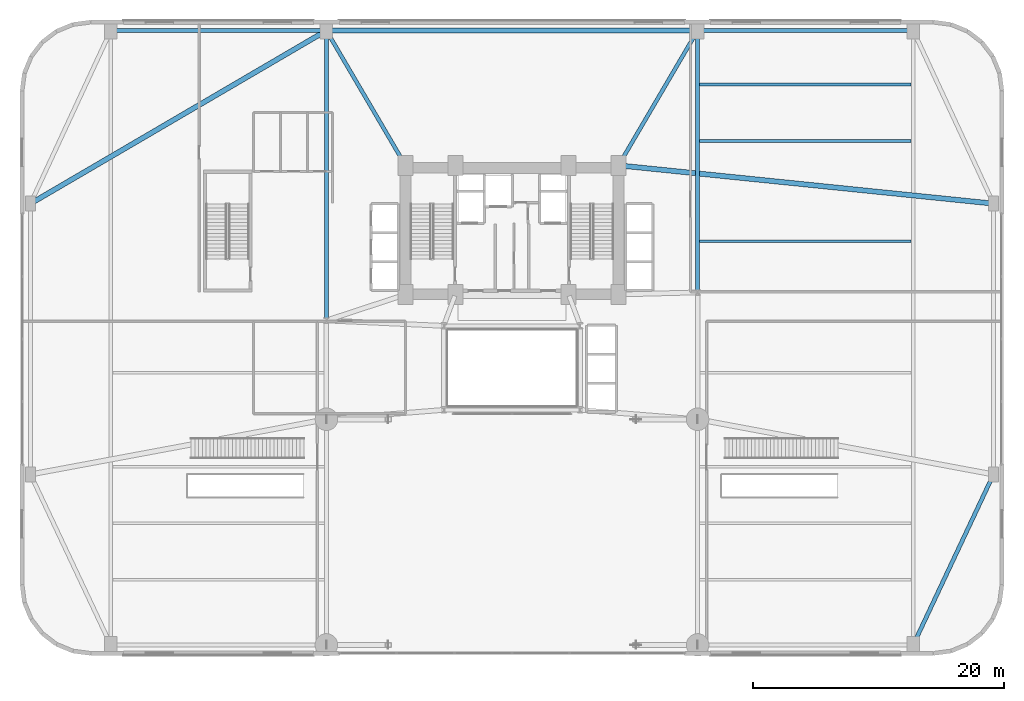
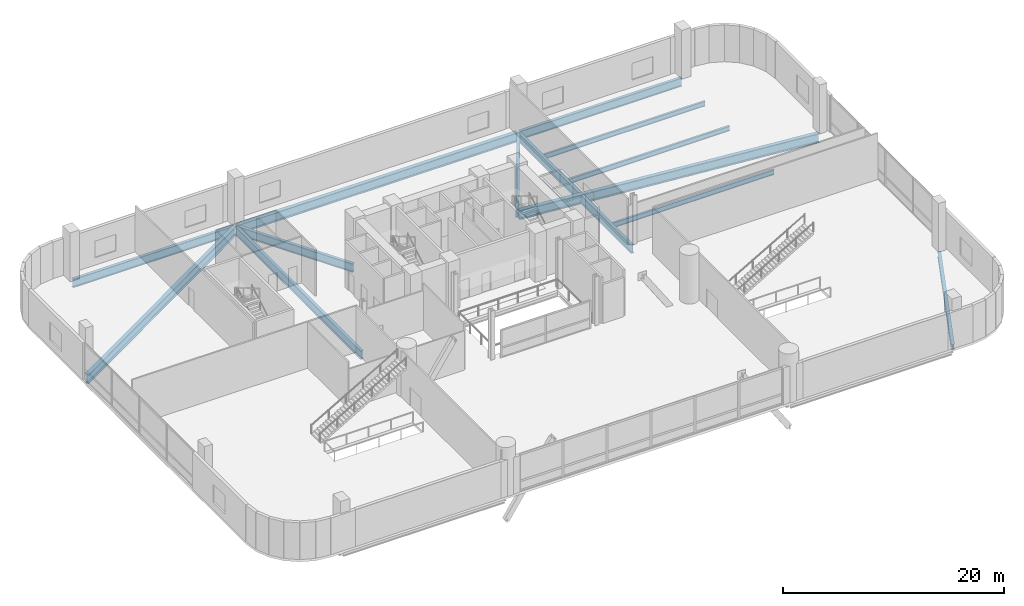
# One storey, part 18 of 40: 13 beams.
"""IFC4 building model written with IfcOpenShell, lengths in metres."""

from ifc_helpers import new_model, si_unit, direction, frame, origin, origin_2d, place, context, subcontext, project, spatial, i_section, extrude, material, material_profile, profile_set, type_object, element, save


model = new_model("IFC4")

# Units and contexts
model_context = context("Model", 3, precision=1e-05, world=origin(), true_north=direction((0.0, 1.0)))
body_context = subcontext(model_context, "Body", "Model", "MODEL_VIEW")
ifc_project = project(units=[si_unit("LENGTHUNIT", "METRE"), si_unit("AREAUNIT", "SQUARE_METRE"), si_unit("VOLUMEUNIT", "CUBIC_METRE"), si_unit("PLANEANGLEUNIT", "RADIAN"), si_unit("MASSUNIT", "GRAM", prefix="KILO")], contexts=[model_context])

# Site, building, storey
site_placement = place(None, origin())
site = spatial("IfcSite", under=ifc_project, at=site_placement, CompositionType="ELEMENT")
building_placement = place(site_placement, origin())
building = spatial("IfcBuilding", under=site, at=building_placement, Name="Varnelok Gate Tower", CompositionType="ELEMENT")
storey_placement = place(building_placement, frame((0.0, 0.0, 5.39990234375)))
storey = spatial("IfcBuildingStorey", under=building, at=storey_placement, Name="L01", CompositionType="ELEMENT", Elevation=5.39990234375)

# Beams
ifc_material = material(Name="Structural Steel ASTM A992 Grade 50", Category="steel")
ifc_material_profile_1 = material_profile(ifc_material, i_section(OverallWidth=0.2119140625, OverallDepth=0.5439453125, WebThickness=0.01318359375, FlangeThickness=0.021240234375, FilletRadius=0.01611328125, at=origin_2d()), Name="W21X83")
ifc_profile_set_1 = profile_set([ifc_material_profile_1], Name="Structural Steel ASTM A992 Grade 50")
beam_type_1 = type_object("IfcBeamType", Name="BM-JST-W21X83", PredefinedType="JOIST", material=ifc_profile_set_1)
for number, where, z_axis, x_axis, name in (
    (1, (54.159912109375, 33.0, -0.552001953125), (1.0, 0.0, 0.0), (0.0, 1.0, 0.0), "L01 Podium Floor Joist"),
    (2, (54.159912109375, 41.0, -0.552001953125), (1.0, 0.0, 0.0), (0.0, 1.0, 0.0), "L01 Podium Floor Joist"),
    (3, (54.159912109375, 45.5, -0.552001953125), (1.0, 0.0, 0.0), (0.0, 1.0, 0.0), "L01 Podium Floor Joist"),
):
    element("IfcBeam", number, at=place(storey_placement, frame(where, z_axis=z_axis, x_axis=x_axis)), inside=storey, type_object=beam_type_1, Name=name, PredefinedType="JOIST", context=body_context, shape_type="SweptSolid", body=[
        extrude(i_section(OverallWidth=0.2119140625, OverallDepth=0.5439453125, WebThickness=0.01318359375, FlangeThickness=0.021240234375, FilletRadius=0.01611328125, at=origin_2d()), origin(), (0.0, 0.0, 1.0), 16.880126953125),
    ])
ifc_material_profile_2 = material_profile(ifc_material, i_section(OverallWidth=0.30810546875, OverallDepth=0.943115234375, WebThickness=0.022216796875, FlangeThickness=0.039794921875, FilletRadius=0.02587890625, at=origin_2d()), Name="W36X232")
ifc_profile_set_2 = profile_set([ifc_material_profile_2], Name="Structural Steel ASTM A992 Grade 50")
beam_type_2 = type_object("IfcBeamType", Name="BM-PRI-W36X232", PredefinedType="BEAM", material=ifc_profile_set_2)
beam_1_placement = place(storey_placement, frame((7.340087890625, 49.800048828125, -0.75146484375), z_axis=(1.0, 0.0, 0.0), x_axis=(0.0, 1.0, 0.0)))
element("IfcBeam", 4, at=beam_1_placement, inside=storey, type_object=beam_type_2, Name="L01 Podium Primary Girder 3", PredefinedType="BEAM", context=body_context, shape_type="SweptSolid", body=[
    extrude(i_section(OverallWidth=0.30810546875, OverallDepth=0.943115234375, WebThickness=0.022216796875, FlangeThickness=0.039794921875, FilletRadius=0.02587890625, at=origin_2d()), origin(), (0.0, 0.0, 1.0), 16.919921875),
])
beam_2_placement = place(storey_placement, frame((54.139892578125, 49.800048828125, -0.75146484375), z_axis=(1.0, 0.0, 0.0), x_axis=(0.0, 1.0, 0.0)))
element("IfcBeam", 5, at=beam_2_placement, inside=storey, type_object=beam_type_2, Name="L01 Podium Primary Girder 5", PredefinedType="BEAM", context=body_context, shape_type="SweptSolid", body=[
    extrude(i_section(OverallWidth=0.30810546875, OverallDepth=0.943115234375, WebThickness=0.022216796875, FlangeThickness=0.039794921875, FilletRadius=0.02587890625, at=origin_2d()), origin(), (0.0, 0.0, 1.0), 16.920166015625),
])
for number, where, z_axis, x_axis, name in (
    (6, (24.470703125, 49.67919921875, -0.75146484375), (0.505622271853, -0.862754958378, 0.0), (0.862754958378, 0.505622271853, 0.0), "L01 Podium Primary Girder 20"),
    (7, (53.92919921875, 49.67919921875, -0.75146484375), (-0.505622271853, -0.862754958378, 0.0), (0.862754958378, -0.505622271853, 0.0), "L01 Podium Primary Girder 21"),
):
    element("IfcBeam", number, at=place(storey_placement, frame(where, z_axis=z_axis, x_axis=x_axis)), inside=storey, type_object=beam_type_2, Name=name, PredefinedType="BEAM", context=body_context, shape_type="SweptSolid", body=[
        extrude(i_section(OverallWidth=0.30810546875, OverallDepth=0.943115234375, WebThickness=0.022216796875, FlangeThickness=0.039794921875, FilletRadius=0.02587890625, at=origin_2d()), origin(), (0.0, 0.0, 1.0), 12.179931640625),
    ])
beam_3_placement = place(storey_placement, frame((24.39990234375, 26.820068359375, -0.75146484375), z_axis=(0.0, 1.0, 0.0), x_axis=(-1.0, 0.0, 0.0)))
element("IfcBeam", 8, at=beam_3_placement, inside=storey, type_object=beam_type_2, Name="L01 Podium Primary Girder 22", PredefinedType="BEAM", context=body_context, shape_type="SweptSolid", body=[
    extrude(i_section(OverallWidth=0.30810546875, OverallDepth=0.943115234375, WebThickness=0.022216796875, FlangeThickness=0.039794921875, FilletRadius=0.02587890625, at=origin_2d()), origin(), (0.0, 0.0, 1.0), 22.83984375),
])
beam_4_placement = place(storey_placement, frame((54.0, 29.06005859375, -0.75146484375), z_axis=(0.0, 1.0, 0.0), x_axis=(-1.0, 0.0, 0.0)))
element("IfcBeam", 9, at=beam_4_placement, inside=storey, type_object=beam_type_2, Name="L01 Podium Primary Girder 23", PredefinedType="BEAM", context=body_context, shape_type="SweptSolid", body=[
    extrude(i_section(OverallWidth=0.30810546875, OverallDepth=0.943115234375, WebThickness=0.022216796875, FlangeThickness=0.039794921875, FilletRadius=0.02587890625, at=origin_2d()), origin(), (0.0, 0.0, 1.0), 20.599853515625),
])
ifc_material_profile_3 = material_profile(ifc_material, i_section(OverallWidth=0.323974609375, OverallDepth=0.611083984375, WebThickness=0.0126953125, FlangeThickness=0.01904296875, FilletRadius=0.01806640625, at=origin_2d()), Name="W24X104")
ifc_profile_set_3 = profile_set([ifc_material_profile_3], Name="Structural Steel ASTM A992 Grade 50")
beam_type_3 = type_object("IfcBeamType", Name="BM-SPN-W24X104", PredefinedType="SPANDREL", material=ifc_profile_set_3)
beam_5_placement = place(storey_placement, frame((71.259521484375, 0.9267578125, -0.58544921875), z_axis=(0.425801818887, 0.90481645157, 0.0), x_axis=(-0.90481645157, 0.425801818887, 0.0)))
element("IfcBeam", 10, at=beam_5_placement, inside=storey, type_object=beam_type_3, Name="L01 Podium Primary Girder 10", PredefinedType="SPANDREL", context=body_context, shape_type="SweptSolid", body=[
    extrude(i_section(OverallWidth=0.323974609375, OverallDepth=0.611083984375, WebThickness=0.0126953125, FlangeThickness=0.01904296875, FilletRadius=0.01806640625, at=origin_2d()), origin(), (0.0, 0.0, 1.0), 14.75048828125),
])
ifc_material_profile_4 = material_profile(ifc_material, i_section(OverallWidth=0.404052734375, OverallDepth=1.02001953125, WebThickness=0.025390625, FlangeThickness=0.0458984375, FilletRadius=0.030029296875, at=origin_2d()), Name="W40X324")
ifc_profile_set_4 = profile_set([ifc_material_profile_4], Name="Structural Steel ASTM A992 Grade 50")
beam_type_4 = type_object("IfcBeamType", Name="BM-SPR-W40X324", PredefinedType="BEAM", material=ifc_profile_set_4)
beam_6_placement = place(storey_placement, frame((24.5400390625, 49.800048828125, -0.789794921875), z_axis=(1.0, 0.0, 0.0), x_axis=(0.0, 1.0, 0.0)))
element("IfcBeam", 11, at=beam_6_placement, inside=storey, type_object=beam_type_4, Name="L01 Podium Primary Girder 4", PredefinedType="BEAM", context=body_context, shape_type="SweptSolid", body=[
    extrude(i_section(OverallWidth=0.404052734375, OverallDepth=1.02001953125, WebThickness=0.025390625, FlangeThickness=0.0458984375, FilletRadius=0.030029296875, at=origin_2d()), origin(), (0.0, 0.0, 1.0), 29.320068359375),
])
beam_7_placement = place(storey_placement, frame((0.9208984375, 36.07080078125, -0.789794921875), z_axis=(0.863249918026, 0.504776761578, 0.0), x_axis=(-0.504776761578, 0.863249918026, 0.0)))
element("IfcBeam", 12, at=beam_7_placement, inside=storey, type_object=beam_type_4, Name="L01 Podium Primary Girder 18", PredefinedType="BEAM", context=body_context, shape_type="SweptSolid", body=[
    extrude(i_section(OverallWidth=0.404052734375, OverallDepth=1.02001953125, WebThickness=0.025390625, FlangeThickness=0.0458984375, FilletRadius=0.030029296875, at=origin_2d()), origin(), (0.0, 0.0, 1.0), 27.058349609375),
])
beam_8_placement = place(storey_placement, frame((47.83935546875, 39.035888671875, -0.789794921875), z_axis=(0.994837048788, -0.101485202654, 0.0), x_axis=(0.101485202654, 0.994837048788, 0.0)))
element("IfcBeam", 13, at=beam_8_placement, inside=storey, type_object=beam_type_4, Name="L01 Podium Primary Girder 19", PredefinedType="BEAM", context=body_context, shape_type="SweptSolid", body=[
    extrude(i_section(OverallWidth=0.404052734375, OverallDepth=1.02001953125, WebThickness=0.025390625, FlangeThickness=0.0458984375, FilletRadius=0.030029296875, at=origin_2d()), origin(), (0.0, 0.0, 1.0), 29.775146484375),
])

save(model, "model.ifc")
